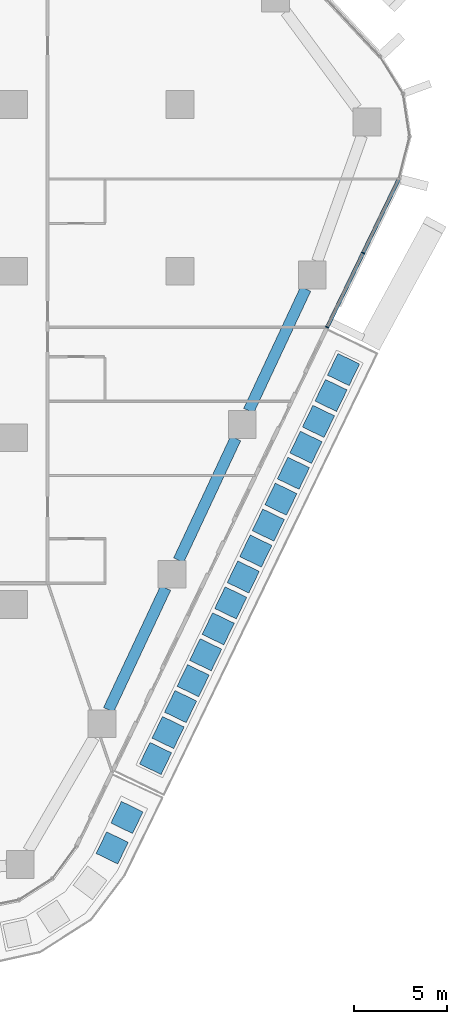
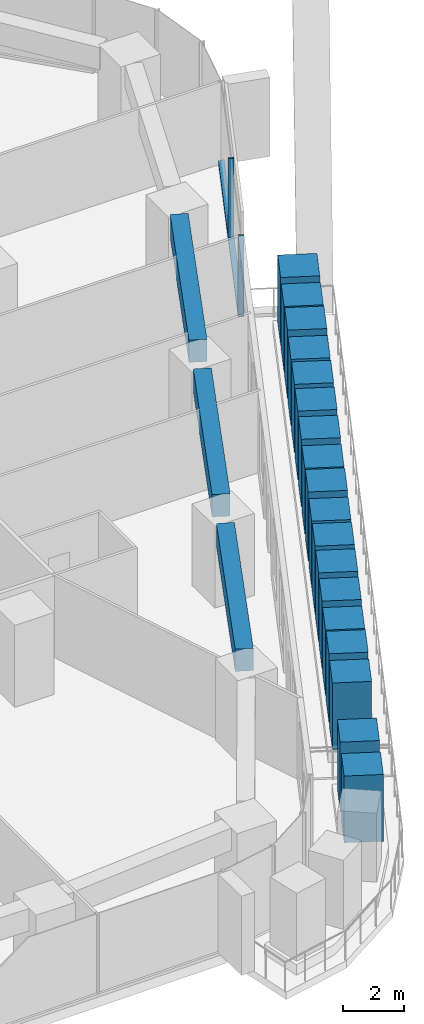
# One storey, part 6 of 24: 21 members, 3 beams, 1 element without a shape of its own.
"""IFC4 building model written with IfcOpenShell, lengths in metres."""

import ifcopenshell
import ifcopenshell.guid

model = None  # the IFC model being written
_history = None  # IfcOwnerHistory: only IFC2X3 demands one
_inside = {}  # id of a spatial element -> (the spatial element, [elements in it])
_under = {}  # id of a project, library or spatial element -> (it, [spatial elements below it])
_declared = {}  # id of a project -> (the project, [libraries it declares])
_typed = {}  # id of a type object -> (the type object, [elements of that type])
_made_of = {}  # id of a material, layer set ... -> (it, [elements and type objects made of it])


def new_model(schema):
    """Start an empty IFC model of exactly this schema.

    Asked for "IFC4X3", IfcOpenShell would pick the latest addendum, in which some entities
    have other attributes; the version numbers below select the first issue.
    IFC2X3 requires an IfcOwnerHistory on every rooted entity: one is made here for all.
    """
    global model, _history
    if schema == "IFC4X3":
        model = ifcopenshell.file(schema_version=(4, 3, 0, 0))
    else:
        model = ifcopenshell.file(schema=schema)
    _inside.clear()
    _under.clear()
    _declared.clear()
    _typed.clear()
    _made_of.clear()
    _history = None
    if model.schema == "IFC2X3":
        org = make("IfcOrganization", Name="unknown")
        user = make(
            "IfcPersonAndOrganization",
            ThePerson=make("IfcPerson", FamilyName="unknown"),
            TheOrganization=org,
        )
        app = make(
            "IfcApplication",
            ApplicationDeveloper=org,
            Version="unknown",
            ApplicationFullName="unknown",
            ApplicationIdentifier="unknown",
        )
        _history = make(
            "IfcOwnerHistory",
            OwningUser=user,
            OwningApplication=app,
            ChangeAction="ADDED",
            CreationDate=0,
        )
    return model


def make(cls, **values):
    """One entity of the class cls with the attributes given. An attribute that is None is left unset."""
    return model.create_entity(
        cls, **{name: value for name, value in values.items() if value is not None}
    )


def rooted(cls, **values):
    """An entity with a GlobalId (a new one), such as an element, a storey or a relation."""
    return make(cls, GlobalId=ifcopenshell.guid.new(), OwnerHistory=_history, **values)


def si_unit(unit_type, name, prefix=None):
    """IfcSIUnit, for example si_unit("LENGTHUNIT", "METRE", prefix="MILLI")."""
    return make("IfcSIUnit", UnitType=unit_type, Prefix=prefix, Name=name)


def assignment(units):
    """IfcUnitAssignment: the units of a project."""
    return None if units is None else make("IfcUnitAssignment", Units=units)


def point(xyz):
    """IfcCartesianPoint."""
    return None if xyz is None else make("IfcCartesianPoint", Coordinates=xyz)


def direction(xyz):
    """IfcDirection."""
    return None if xyz is None else make("IfcDirection", DirectionRatios=xyz)


def frame(location, z_axis=None, x_axis=None):
    """IfcAxis2Placement3D, a coordinate frame: its origin and axes. An axis left out is left unset."""
    return make(
        "IfcAxis2Placement3D",
        Location=point(location),
        Axis=direction(z_axis),
        RefDirection=direction(x_axis),
    )


def frame_2d(location, x_axis=None):
    """IfcAxis2Placement2D, a coordinate frame in the plane: its origin and x axis."""
    return make(
        "IfcAxis2Placement2D", Location=point(location), RefDirection=direction(x_axis)
    )


def origin():
    """The frame at (0, 0, 0) with its axes left unset."""
    return frame((0.0, 0.0, 0.0))


def origin_2d():
    """The frame at (0, 0) in the plane with its x axis left unset."""
    return frame_2d((0.0, 0.0))


def place(relative_to, where):
    """IfcLocalPlacement: puts the frame where relative to a parent placement (None: the world)."""
    return make(
        "IfcLocalPlacement", PlacementRelTo=relative_to, RelativePlacement=where
    )


def context(
    kind, dimensions, precision=None, world=None, true_north=None, identifier=None
):
    """IfcGeometricRepresentationContext, for example the 3D "Model" context."""
    return make(
        "IfcGeometricRepresentationContext",
        ContextIdentifier=identifier,
        ContextType=kind,
        CoordinateSpaceDimension=dimensions,
        Precision=precision,
        WorldCoordinateSystem=world,
        TrueNorth=true_north,
    )


def subcontext(parent, identifier, kind, view, scale=None):
    """IfcGeometricRepresentationSubContext, for example "Body" below "Model"."""
    return make(
        "IfcGeometricRepresentationSubContext",
        ContextIdentifier=identifier,
        ContextType=kind,
        ParentContext=parent,
        TargetScale=scale,
        TargetView=view,
    )


def project(units=None, contexts=None):
    """IfcProject with its units and contexts."""
    return rooted(
        "IfcProject",
        Name="project",
        RepresentationContexts=contexts,
        UnitsInContext=assignment(units),
    )


def spatial(cls, under=None, at=None, **own):
    """A site, building, storey or space (cls), placed at a placement, below another one or the project."""
    s = rooted(cls, ObjectPlacement=at, **own)
    if under is not None:
        _under.setdefault(under.id(), (under, []))[1].append(s)
    return s


def profile(cls, at=None, kind="AREA", **sizes):
    """A parametric profile (cls). Its sizes go by their IFC names, for example OverallWidth=200.0."""
    return make(cls, ProfileType=kind, Position=at, **sizes)


def rectangle(**sizes):
    """IfcRectangleProfileDef."""
    return profile("IfcRectangleProfileDef", **sizes)


def extrude(swept, where, along, depth):
    """IfcExtrudedAreaSolid: the profile swept, set in the frame where, extruded along a direction by depth."""
    return make(
        "IfcExtrudedAreaSolid",
        SweptArea=swept,
        Position=where,
        ExtrudedDirection=direction(along),
        Depth=depth,
    )


def shape(context_of_items, identifier, shape_type, items):
    """IfcShapeRepresentation: the items that make up one representation, for example the "Body"."""
    return make(
        "IfcShapeRepresentation",
        ContextOfItems=context_of_items,
        RepresentationIdentifier=identifier,
        RepresentationType=shape_type,
        Items=items,
    )


def material(Name=None, Category=None):
    """IfcMaterial."""
    return make("IfcMaterial", Name=Name, Category=Category)


def layer(
    of_material, thickness, ventilated=None, Name=None, Category=None, Priority=None
):
    """IfcMaterialLayer: one layer of a wall or slab, of a material (None: an air gap)."""
    return make(
        "IfcMaterialLayer",
        Material=of_material,
        LayerThickness=thickness,
        IsVentilated=ventilated,
        Name=Name,
        Category=Category,
        Priority=Priority,
    )


def layer_set(layers, Name=None):
    """IfcMaterialLayerSet."""
    return make("IfcMaterialLayerSet", MaterialLayers=layers, LayerSetName=Name)


def material_profile(
    of_material, cross_section, Name=None, Category=None, Priority=None
):
    """IfcMaterialProfile: a cross section and its material."""
    return make(
        "IfcMaterialProfile",
        Name=Name,
        Material=of_material,
        Profile=cross_section,
        Priority=Priority,
        Category=Category,
    )


def profile_set(profiles, Name=None, composite=None):
    """IfcMaterialProfileSet."""
    return make(
        "IfcMaterialProfileSet",
        Name=Name,
        MaterialProfiles=profiles,
        CompositeProfile=composite,
    )


def made_of(thing, what):
    """Note that an element or type object is made of a material, layer set ...; save() writes the relation."""
    if what is not None:
        _made_of.setdefault(what.id(), (what, []))[1].append(thing)
    return thing


def type_object(cls, material=None, **own):
    """A type object (cls), such as IfcWallType, which elements share."""
    return made_of(rooted(cls, **own), material)


def element(
    cls,
    number,
    at=None,
    inside=None,
    cuts=None,
    type_object=None,
    material=None,
    context=None,
    identifier="Body",
    shape_type=None,
    held_by="IfcProductDefinitionShape",
    body=None,
    shapes=None,
    **own,
):
    """One element of the class cls, such as IfcWall. Its Tag is "e" and its number.

    at: its placement. inside: the storey or other place that contains it. cuts: it is an
    opening in that element (IfcRelVoidsElement). A single representation is given by context,
    identifier, shape_type and body (its items); several are given by shapes. held_by: the class
    of the entity that holds the representations. save() writes the other relations.
    """
    e = rooted(cls, Tag="e%d" % number, ObjectPlacement=at, **own)
    if body is not None:
        shapes = [shape(context, identifier, shape_type, body)]
    if shapes is not None:
        e.Representation = make(held_by, Representations=shapes)
    if inside is not None:
        _inside.setdefault(inside.id(), (inside, []))[1].append(e)
    if cuts is not None:
        rooted(
            "IfcRelVoidsElement", RelatingBuildingElement=cuts, RelatedOpeningElement=e
        )
    if type_object is not None:
        _typed.setdefault(type_object.id(), (type_object, []))[1].append(e)
    return made_of(e, material)


def aggregate(whole, parts):
    """IfcRelAggregates: a whole, such as a stair, and the parts it consists of."""
    return rooted("IfcRelAggregates", RelatingObject=whole, RelatedObjects=parts)


def save(model, path):
    """Write the relations noted so far, then the file.

    IfcRelAggregates (storeys below a building ...), IfcRelContainedInSpatialStructure (elements
    in a storey), IfcRelDefinesByType, IfcRelAssociatesMaterial and IfcRelDeclares: one each for
    every whole, place, type object, material and project.
    """
    for whole, parts in _under.values():
        aggregate(whole, parts)
    for where, things in _inside.values():
        rooted(
            "IfcRelContainedInSpatialStructure",
            RelatedElements=things,
            RelatingStructure=where,
        )
    for kind, things in _typed.values():
        rooted("IfcRelDefinesByType", RelatedObjects=things, RelatingType=kind)
    for what, things in _made_of.values():
        rooted("IfcRelAssociatesMaterial", RelatedObjects=things, RelatingMaterial=what)
    for by, libraries in _declared.values():
        rooted("IfcRelDeclares", RelatingContext=by, RelatedDefinitions=libraries)
    model.write(path)


model = new_model("IFC4")

# Units and contexts
model_context = context("Model", 3, precision=1e-05, world=origin(), true_north=direction((0.0, 1.0)))
body_context = subcontext(model_context, "Body", "Model", "MODEL_VIEW")
ifc_project = project(units=[si_unit("LENGTHUNIT", "METRE"), si_unit("AREAUNIT", "SQUARE_METRE"), si_unit("VOLUMEUNIT", "CUBIC_METRE"), si_unit("PLANEANGLEUNIT", "RADIAN"), si_unit("MASSUNIT", "GRAM", prefix="KILO")], contexts=[model_context])

# Site, building, storey
site_placement = place(None, origin())
site = spatial("IfcSite", under=ifc_project, at=site_placement, CompositionType="ELEMENT")
building_placement = place(site_placement, origin())
building = spatial("IfcBuilding", under=site, at=building_placement, Name="Dongbaek Canopy Tower", CompositionType="ELEMENT")
storey_placement = place(building_placement, frame((0.0, 0.0, 51.39990234375)))
storey = spatial("IfcBuildingStorey", under=building, at=storey_placement, Name="L08", CompositionType="ELEMENT", Elevation=51.39990234375)

# Curtain wall, members
ifc_material_1 = material(Name="Aluminium 6063-T6 pale anodised", Category="aluminium")
ifc_layer = layer(ifc_material_1, 0.199951171875)
ifc_layer_set = layer_set([ifc_layer], Name="CW-1 unitised tower curtain wall")
curtain_wall_type = type_object("IfcCurtainWallType", Name="CW-1 unitised tower curtain wall", PredefinedType="NOTDEFINED", material=ifc_layer_set)
curtain_wall_placement = place(storey_placement, origin())
curtain_wall = element("IfcCurtainWall", 1, at=curtain_wall_placement, inside=storey, type_object=curtain_wall_type, Name="CW-1 curtain wall F5.1", PredefinedType="NOTDEFINED")
ifc_material_2 = material(Name="Aluminium 6063-T6 pale anodised", Category="aluminium")
ifc_material_profile_1 = material_profile(ifc_material_2, rectangle(XDim=0.199951171875, YDim=0.06005859375, at=origin_2d()), Name="CW-1 mullion 60 x 200")
ifc_profile_set_1 = profile_set([ifc_material_profile_1], Name="Aluminium 6063-T6 pale anodised")
member_type_1 = type_object("IfcMemberType", Name="CW-1 mullion 60 x 200", PredefinedType="MULLION", material=ifc_profile_set_1)
member_1_placement = place(storey_placement, frame((34.953857421875, -3.023193359375, 0.1201171875), z_axis=(0.0, 0.0, 1.0), x_axis=(0.900312061201, -0.435244979817, 0.0)))
member_1 = element("IfcMember", 2, at=member_1_placement, type_object=member_type_1, Name="CW-1 mullion F5.1.1", PredefinedType="MULLION", context=body_context, shape_type="SweptSolid", body=[
    extrude(rectangle(XDim=0.199951171875, YDim=0.06005859375, at=origin_2d()), origin(), (0.0, 0.0, 1.0), 3.179931640625),
])
member_2_placement = place(storey_placement, frame((36.8896484375, 0.981689453125, 0.1201171875), z_axis=(0.0, 0.0, 1.0), x_axis=(0.900312061201, -0.435244979817, 0.0)))
member_2 = element("IfcMember", 3, at=member_2_placement, type_object=member_type_1, Name="CW-1 mullion F5.1.2", PredefinedType="MULLION", context=body_context, shape_type="SweptSolid", body=[
    extrude(rectangle(XDim=0.199951171875, YDim=0.06005859375, at=origin_2d()), origin(), (0.0, 0.0, 1.0), 3.179931640625),
])
ifc_material_3 = material(Name="Aluminium 6063-T6 pale anodised", Category="aluminium")
ifc_material_profile_2 = material_profile(ifc_material_3, rectangle(XDim=0.199951171875, YDim=0.1201171875, at=origin_2d()), Name="CW-1 transom 120 x 200")
ifc_profile_set_2 = profile_set([ifc_material_profile_2], Name="Aluminium 6063-T6 pale anodised")
member_type_2 = type_object("IfcMemberType", Name="CW-1 transom 120 x 200", PredefinedType="USERDEFINED", material=ifc_profile_set_2)
member_3_placement = place(storey_placement, frame((34.953857421875, -3.023193359375, 0.06005859375), z_axis=(0.435216914324, 0.900325628584, 0.0), x_axis=(-0.900325628584, 0.435216914324, 0.0)))
member_3 = element("IfcMember", 4, at=member_3_placement, type_object=member_type_2, Name="CW-1 transom F5.1.1", ObjectType="TRANSOM", PredefinedType="USERDEFINED", context=body_context, shape_type="SweptSolid", body=[
    extrude(rectangle(XDim=0.199951171875, YDim=0.1201171875, at=origin_2d()), origin(), (0.0, 0.0, 1.0), 8.88623046875),
])
aggregate(curtain_wall, [member_1, member_2, member_3])

# Beams
ifc_material_4 = material(Name="Concrete C80", Category="concrete")
ifc_material_profile_3 = material_profile(ifc_material_4, rectangle(XDim=0.60009765625, YDim=0.89990234375, at=origin_2d()), Name="RC EDGE BEAM 600x900 C80")
ifc_profile_set_3 = profile_set([ifc_material_profile_3], Name="Concrete C80")
beam_type = type_object("IfcBeamType", Name="RC EDGE BEAM 600x900 C80", PredefinedType="BEAM", material=ifc_profile_set_3)
beam_1_placement = place(storey_placement, frame((33.791748046875, -0.955078125, 2.85009765625), z_axis=(-0.424064450026, -0.905632012588, 0.0), x_axis=(0.905632012588, -0.424064450026, 0.0)))
element("IfcBeam", 5, at=beam_1_placement, inside=storey, type_object=beam_type, Name="EDGEBEAM:L08:22", PredefinedType="BEAM", context=body_context, shape_type="SweptSolid", body=[
    extrude(rectangle(XDim=0.60009765625, YDim=0.89990234375, at=origin_2d()), origin(), (0.0, 0.0, 1.0), 7.264404296875),
])
beam_2_placement = place(storey_placement, frame((30.0087890625, -9.033935546875, 2.85009765625), z_axis=(-0.424110161641, -0.905610606604, 0.0), x_axis=(0.905610606604, -0.424110161641, 0.0)))
element("IfcBeam", 6, at=beam_2_placement, inside=storey, type_object=beam_type, Name="EDGEBEAM:L08:23", PredefinedType="BEAM", context=body_context, shape_type="SweptSolid", body=[
    extrude(rectangle(XDim=0.60009765625, YDim=0.89990234375, at=origin_2d()), origin(), (0.0, 0.0, 1.0), 7.265869140625),
])
beam_3_placement = place(storey_placement, frame((26.224609375, -17.114013671875, 2.85009765625), z_axis=(-0.42413422917, -0.905599335052, 0.0), x_axis=(0.905599335052, -0.42413422917, 0.0)))
element("IfcBeam", 7, at=beam_3_placement, inside=storey, type_object=beam_type, Name="EDGEBEAM:L08:24", PredefinedType="BEAM", context=body_context, shape_type="SweptSolid", body=[
    extrude(rectangle(XDim=0.60009765625, YDim=0.89990234375, at=origin_2d()), origin(), (0.0, 0.0, 1.0), 7.264892578125),
])

# Members
ifc_material_5 = material(Name="Concrete C40/50 planter mass with planting", Category="concrete")
ifc_material_profile_4 = material_profile(ifc_material_5, rectangle(XDim=1.300048828125, YDim=1.300048828125, at=origin_2d()), Name="Terrace PLANTER shrub mass 1300 x 1300")
ifc_profile_set_4 = profile_set([ifc_material_profile_4], Name="Concrete C40/50 planter mass with planting")
member_type_3 = type_object("IfcMemberType", Name="Terrace PLANTER shrub mass 1300 x 1300", PredefinedType="USERDEFINED", material=ifc_profile_set_4)
member_4_placement = place(storey_placement, frame((25.679443359375, -26.31982421875, 0.420166015625), z_axis=(0.0, 0.0, 1.0), x_axis=(0.900312061201, -0.435244979817, 0.0)))
element("IfcMember", 8, at=member_4_placement, inside=storey, type_object=member_type_3, Name="Planter shrubs L08 4.1", ObjectType="PLANTER", PredefinedType="USERDEFINED", context=body_context, shape_type="SweptSolid", body=[
    extrude(rectangle(XDim=1.300048828125, YDim=1.300048828125, at=origin_2d()), origin(), (0.0, 0.0, 1.0), 2.68994140625),
])
member_5_placement = place(storey_placement, frame((26.3564453125, -24.919189453125, 0.420166015625), z_axis=(0.0, 0.0, 1.0), x_axis=(0.900312061201, -0.435244979817, 0.0)))
element("IfcMember", 9, at=member_5_placement, inside=storey, type_object=member_type_3, Name="Planter shrubs L08 4.2", ObjectType="PLANTER", PredefinedType="USERDEFINED", context=body_context, shape_type="SweptSolid", body=[
    extrude(rectangle(XDim=1.300048828125, YDim=1.300048828125, at=origin_2d()), origin(), (0.0, 0.0, 1.0), 2.780029296875),
])
member_6_placement = place(storey_placement, frame((27.033447265625, -23.518798828125, 0.420166015625), z_axis=(0.0, 0.0, 1.0), x_axis=(0.900312061201, -0.435244979817, 0.0)))
element("IfcMember", 10, at=member_6_placement, inside=storey, type_object=member_type_3, Name="Planter shrubs L08 4.3", ObjectType="PLANTER", PredefinedType="USERDEFINED", context=body_context, shape_type="SweptSolid", body=[
    extrude(rectangle(XDim=1.300048828125, YDim=1.300048828125, at=origin_2d()), origin(), (0.0, 0.0, 1.0), 2.64990234375),
])
member_7_placement = place(storey_placement, frame((27.710693359375, -22.118408203125, 0.420166015625), z_axis=(0.0, 0.0, 1.0), x_axis=(0.900312061201, -0.435244979817, 0.0)))
element("IfcMember", 11, at=member_7_placement, inside=storey, type_object=member_type_3, Name="Planter shrubs L08 4.4", ObjectType="PLANTER", PredefinedType="USERDEFINED", context=body_context, shape_type="SweptSolid", body=[
    extrude(rectangle(XDim=1.300048828125, YDim=1.300048828125, at=origin_2d()), origin(), (0.0, 0.0, 1.0), 2.72998046875),
])
member_8_placement = place(storey_placement, frame((28.3876953125, -20.7177734375, 0.420166015625), z_axis=(0.0, 0.0, 1.0), x_axis=(0.900312061201, -0.435244979817, 0.0)))
element("IfcMember", 12, at=member_8_placement, inside=storey, type_object=member_type_3, Name="Planter shrubs L08 4.5", ObjectType="PLANTER", PredefinedType="USERDEFINED", context=body_context, shape_type="SweptSolid", body=[
    extrude(rectangle(XDim=1.300048828125, YDim=1.300048828125, at=origin_2d()), origin(), (0.0, 0.0, 1.0), 2.780029296875),
])
member_9_placement = place(storey_placement, frame((29.064697265625, -19.3173828125, 0.420166015625), z_axis=(0.0, 0.0, 1.0), x_axis=(0.900312061201, -0.435244979817, 0.0)))
element("IfcMember", 13, at=member_9_placement, inside=storey, type_object=member_type_3, Name="Planter shrubs L08 4.6", ObjectType="PLANTER", PredefinedType="USERDEFINED", context=body_context, shape_type="SweptSolid", body=[
    extrude(rectangle(XDim=1.300048828125, YDim=1.300048828125, at=origin_2d()), origin(), (0.0, 0.0, 1.0), 2.77001953125),
])
member_10_placement = place(storey_placement, frame((29.74169921875, -17.9169921875, 0.420166015625), z_axis=(0.0, 0.0, 1.0), x_axis=(0.900312061201, -0.435244979817, 0.0)))
element("IfcMember", 14, at=member_10_placement, inside=storey, type_object=member_type_3, Name="Planter shrubs L08 4.7", ObjectType="PLANTER", PredefinedType="USERDEFINED", context=body_context, shape_type="SweptSolid", body=[
    extrude(rectangle(XDim=1.300048828125, YDim=1.300048828125, at=origin_2d()), origin(), (0.0, 0.0, 1.0), 2.68994140625),
])
member_11_placement = place(storey_placement, frame((30.418701171875, -16.516357421875, 0.420166015625), z_axis=(0.0, 0.0, 1.0), x_axis=(0.900312061201, -0.435244979817, 0.0)))
element("IfcMember", 15, at=member_11_placement, inside=storey, type_object=member_type_3, Name="Planter shrubs L08 4.8", ObjectType="PLANTER", PredefinedType="USERDEFINED", context=body_context, shape_type="SweptSolid", body=[
    extrude(rectangle(XDim=1.300048828125, YDim=1.300048828125, at=origin_2d()), origin(), (0.0, 0.0, 1.0), 2.780029296875),
])
member_12_placement = place(storey_placement, frame((31.095703125, -15.115966796875, 0.420166015625), z_axis=(0.0, 0.0, 1.0), x_axis=(0.900312061201, -0.435244979817, 0.0)))
element("IfcMember", 16, at=member_12_placement, inside=storey, type_object=member_type_3, Name="Planter shrubs L08 4.9", ObjectType="PLANTER", PredefinedType="USERDEFINED", context=body_context, shape_type="SweptSolid", body=[
    extrude(rectangle(XDim=1.300048828125, YDim=1.300048828125, at=origin_2d()), origin(), (0.0, 0.0, 1.0), 2.64990234375),
])
member_13_placement = place(storey_placement, frame((31.772705078125, -13.715576171875, 0.420166015625), z_axis=(0.0, 0.0, 1.0), x_axis=(0.900312061201, -0.435244979817, 0.0)))
element("IfcMember", 17, at=member_13_placement, inside=storey, type_object=member_type_3, Name="Planter shrubs L08 4.10", ObjectType="PLANTER", PredefinedType="USERDEFINED", context=body_context, shape_type="SweptSolid", body=[
    extrude(rectangle(XDim=1.300048828125, YDim=1.300048828125, at=origin_2d()), origin(), (0.0, 0.0, 1.0), 2.72998046875),
])
member_14_placement = place(storey_placement, frame((32.449951171875, -12.315185546875, 0.420166015625), z_axis=(0.0, 0.0, 1.0), x_axis=(0.900312061201, -0.435244979817, 0.0)))
element("IfcMember", 18, at=member_14_placement, inside=storey, type_object=member_type_3, Name="Planter shrubs L08 4.11", ObjectType="PLANTER", PredefinedType="USERDEFINED", context=body_context, shape_type="SweptSolid", body=[
    extrude(rectangle(XDim=1.300048828125, YDim=1.300048828125, at=origin_2d()), origin(), (0.0, 0.0, 1.0), 2.780029296875),
])
member_15_placement = place(storey_placement, frame((33.126953125, -10.91455078125, 0.420166015625), z_axis=(0.0, 0.0, 1.0), x_axis=(0.900312061201, -0.435244979817, 0.0)))
element("IfcMember", 19, at=member_15_placement, inside=storey, type_object=member_type_3, Name="Planter shrubs L08 4.12", ObjectType="PLANTER", PredefinedType="USERDEFINED", context=body_context, shape_type="SweptSolid", body=[
    extrude(rectangle(XDim=1.300048828125, YDim=1.300048828125, at=origin_2d()), origin(), (0.0, 0.0, 1.0), 2.77001953125),
])
member_16_placement = place(storey_placement, frame((33.803955078125, -9.51416015625, 0.420166015625), z_axis=(0.0, 0.0, 1.0), x_axis=(0.900312061201, -0.435244979817, 0.0)))
element("IfcMember", 20, at=member_16_placement, inside=storey, type_object=member_type_3, Name="Planter shrubs L08 4.13", ObjectType="PLANTER", PredefinedType="USERDEFINED", context=body_context, shape_type="SweptSolid", body=[
    extrude(rectangle(XDim=1.300048828125, YDim=1.300048828125, at=origin_2d()), origin(), (0.0, 0.0, 1.0), 2.68994140625),
])
member_17_placement = place(storey_placement, frame((34.48095703125, -8.11376953125, 0.420166015625), z_axis=(0.0, 0.0, 1.0), x_axis=(0.900312061201, -0.435244979817, 0.0)))
element("IfcMember", 21, at=member_17_placement, inside=storey, type_object=member_type_3, Name="Planter shrubs L08 4.14", ObjectType="PLANTER", PredefinedType="USERDEFINED", context=body_context, shape_type="SweptSolid", body=[
    extrude(rectangle(XDim=1.300048828125, YDim=1.300048828125, at=origin_2d()), origin(), (0.0, 0.0, 1.0), 2.780029296875),
])
member_18_placement = place(storey_placement, frame((35.157958984375, -6.713134765625, 0.420166015625), z_axis=(0.0, 0.0, 1.0), x_axis=(0.900312061201, -0.435244979817, 0.0)))
element("IfcMember", 22, at=member_18_placement, inside=storey, type_object=member_type_3, Name="Planter shrubs L08 4.15", ObjectType="PLANTER", PredefinedType="USERDEFINED", context=body_context, shape_type="SweptSolid", body=[
    extrude(rectangle(XDim=1.300048828125, YDim=1.300048828125, at=origin_2d()), origin(), (0.0, 0.0, 1.0), 2.64990234375),
])
member_19_placement = place(storey_placement, frame((35.8349609375, -5.312744140625, 0.420166015625), z_axis=(0.0, 0.0, 1.0), x_axis=(0.900312061201, -0.435244979817, 0.0)))
element("IfcMember", 23, at=member_19_placement, inside=storey, type_object=member_type_3, Name="Planter shrubs L08 4.16", ObjectType="PLANTER", PredefinedType="USERDEFINED", context=body_context, shape_type="SweptSolid", body=[
    extrude(rectangle(XDim=1.300048828125, YDim=1.300048828125, at=origin_2d()), origin(), (0.0, 0.0, 1.0), 2.72998046875),
])
member_20_placement = place(storey_placement, frame((23.338134765625, -31.150390625, 0.420166015625), z_axis=(0.0, 0.0, 1.0), x_axis=(0.899456045748, -0.437011237576, 0.0)))
element("IfcMember", 24, at=member_20_placement, inside=storey, type_object=member_type_3, Name="Planter shrubs L08 7.4", ObjectType="PLANTER", PredefinedType="USERDEFINED", context=body_context, shape_type="SweptSolid", body=[
    extrude(rectangle(XDim=1.300048828125, YDim=1.300048828125, at=origin_2d()), origin(), (0.0, 0.0, 1.0), 2.68994140625),
])
member_21_placement = place(storey_placement, frame((24.136474609375, -29.507080078125, 0.420166015625), z_axis=(0.0, 0.0, 1.0), x_axis=(0.899456045748, -0.437011237576, 0.0)))
element("IfcMember", 25, at=member_21_placement, inside=storey, type_object=member_type_3, Name="Planter shrubs L08 7.5", ObjectType="PLANTER", PredefinedType="USERDEFINED", context=body_context, shape_type="SweptSolid", body=[
    extrude(rectangle(XDim=1.300048828125, YDim=1.300048828125, at=origin_2d()), origin(), (0.0, 0.0, 1.0), 2.780029296875),
])

save(model, "model.ifc")
